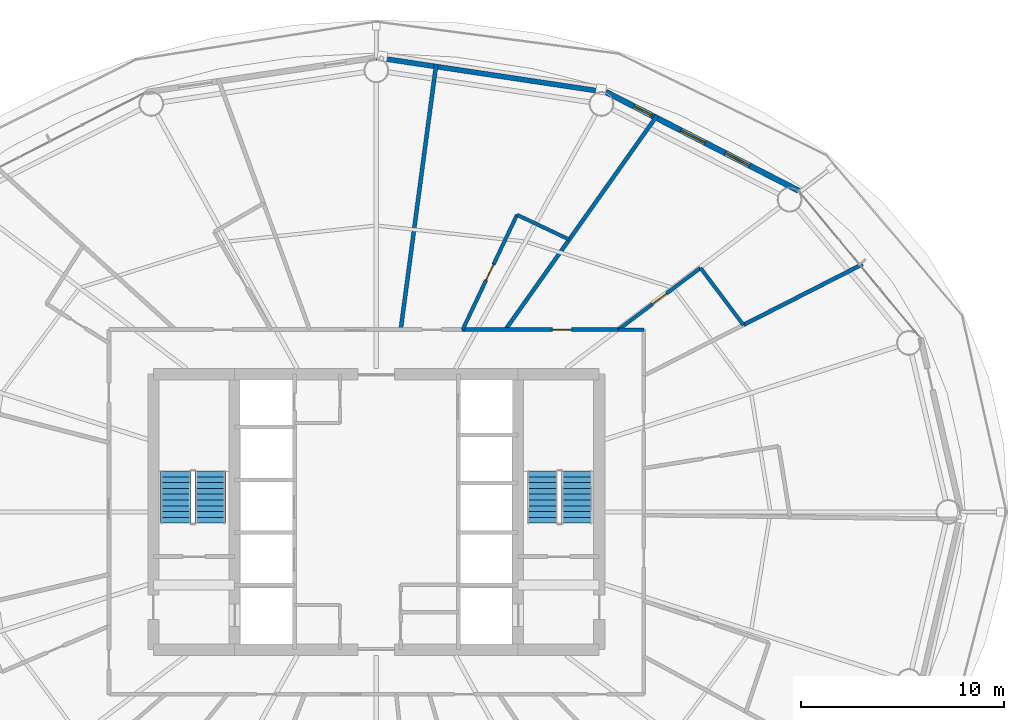
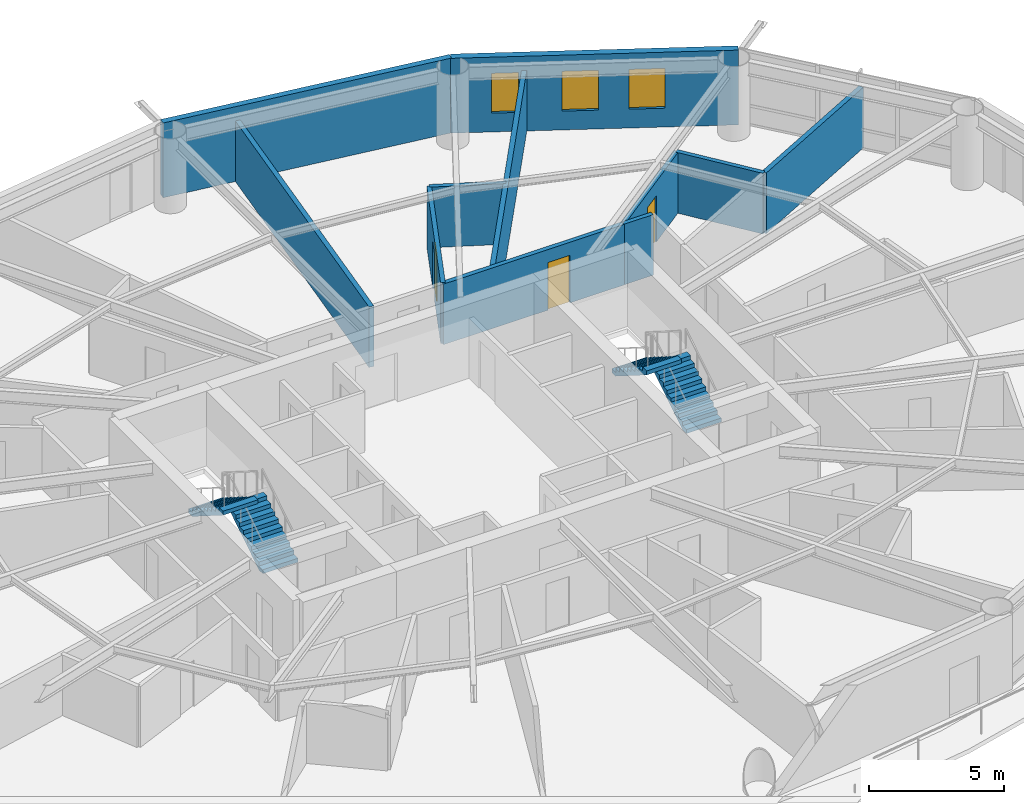
# One storey, part 21 of 24: 11 walls, 4 stair flights, 3 doors, 3 windows, 6 openings, 2 elements without a shape of their own.
"""IFC4 building model written with IfcOpenShell, lengths in metres."""

from ifc_helpers import new_model, si_unit, direction, frame, frame_2d, origin, place, context, subcontext, project, spatial, polyline, rectangle, outline, extrude, material, layer, layer_set, type_object, element, fill, aggregate, save


model = new_model("IFC4")

# Units and contexts
model_context = context("Model", 3, precision=1e-05, world=origin(), true_north=direction((0.0, 1.0)))
body_context = subcontext(model_context, "Body", "Model", "MODEL_VIEW")
ifc_project = project(units=[si_unit("LENGTHUNIT", "METRE"), si_unit("AREAUNIT", "SQUARE_METRE"), si_unit("VOLUMEUNIT", "CUBIC_METRE"), si_unit("PLANEANGLEUNIT", "RADIAN"), si_unit("MASSUNIT", "GRAM", prefix="KILO")], contexts=[model_context])

# Site, building, storey
site_placement = place(None, origin())
site = spatial("IfcSite", under=ifc_project, at=site_placement, CompositionType="ELEMENT")
building_placement = place(site_placement, origin())
building = spatial("IfcBuilding", under=site, at=building_placement, Name="Sarneth Arch Tower", CompositionType="ELEMENT")
storey_placement = place(building_placement, frame((0.0, 0.0, 105.60009765625)))
storey = spatial("IfcBuildingStorey", under=building, at=storey_placement, Name="L26", CompositionType="ELEMENT", Elevation=105.60009765625)

# Wall, opening, door
ifc_material_1 = material(Name="Double steel-stud corridor fire wall", Category="steel")
ifc_layer_1 = layer(ifc_material_1, 0.18994140625)
ifc_layer_set_1 = layer_set([ifc_layer_1], Name="Double steel-stud corridor fire wall")
wall_type_1 = type_object("IfcWallType", Name="WALL-CORR-190", PredefinedType="PARTITIONING", material=ifc_layer_set_1)
wall_1_placement = place(storey_placement, frame((59.956787109375, 51.0, 0.0), z_axis=(0.0, 0.0, 1.0), x_axis=(-1.0, 0.0, 0.0)))
wall_1 = element("IfcWall", 1, at=wall_1_placement, inside=storey, type_object=wall_type_1, Name="L26 Interior partition W-L26-TP-001", PredefinedType="PARTITIONING", context=body_context, shape_type="SweptSolid", body=[
    extrude(rectangle(XDim=7.73046875, YDim=0.18994140625, at=frame_2d((3.865234375, 0.0))), origin(), (0.0, 0.0, 1.0), 2.739990234375),
])
opening_1_placement = place(wall_1_placement, frame((2.31640625, 0.0, 0.0)))
opening_1 = element("IfcOpeningElement", 2, at=opening_1_placement, cuts=wall_1, Name="Opening FD-09", PredefinedType="OPENING", context=body_context, shape_type="SweptSolid", body=[
    extrude(rectangle(XDim=0.949951171875, YDim=2.14990234375, at=frame_2d((0.47509765625, 1.074951171875))), frame((0.0, 0.10498046875, 0.0), z_axis=(0.0, -1.0, 0.0), x_axis=(1.0, 0.0, 0.0)), (0.0, 0.0, 1.0), 0.2099609375),
])
ifc_material_2 = material(Name="Hardwood timber hotel entrance fire door", Category="wood")
door_type_1 = type_object("IfcDoorType", Name="DR-FD60-950", OperationType="SINGLE_SWING_RIGHT", PredefinedType="DOOR", material=ifc_material_2)
door_1_placement = place(opening_1_placement, origin())
door_1 = element("IfcDoor", 3, at=door_1_placement, inside=storey, type_object=door_type_1, Name="L26 Interior door DR-L26-KEY-01", OperationType="SINGLE_SWING_LEFT", OverallHeight=2.14990234375, OverallWidth=0.949951171875, PredefinedType="DOOR", context=body_context, shape_type="SweptSolid", body=[
    extrude(rectangle(XDim=0.949951171875, YDim=2.14990234375, at=frame_2d((0.47509765625, 1.074951171875))), frame((0.0, 0.02490234375, 0.0), z_axis=(0.0, -1.0, 0.0), x_axis=(1.0, 0.0, 0.0)), (0.0, 0.0, 1.0), 0.050048828125),
])
fill(opening_1, door_1)

# Wall
ifc_material_3 = material(Name="Extruded terracotta rainscreen on Concrete C40/50 backing", Category="masonry")
ifc_layer_2 = layer(ifc_material_3, 0.25)
ifc_layer_set_2 = layer_set([ifc_layer_2], Name="Extruded terracotta rainscreen on Concrete C40/50 backing")
wall_type_2 = type_object("IfcWallType", Name="WALL-EXT-SPAND-250", PredefinedType="SOLIDWALL", material=ifc_layer_set_2)
wall_2_placement = place(storey_placement, frame((59.351318359375, 62.72265625, 0.0), z_axis=(0.0, 0.0, 1.0), x_axis=(-0.988877774656, 0.148730450117, 0.0)))
element("IfcWall", 4, at=wall_2_placement, inside=storey, type_object=wall_type_2, Name="L26 Terracotta perimeter wall 04", PredefinedType="SOLIDWALL", context=body_context, shape_type="SweptSolid", body=[
    extrude(rectangle(XDim=11.47900390625, YDim=0.25, at=frame_2d((5.739501953125, 0.0))), origin(), (0.0, 0.0, 1.0), 3.3798828125),
])

# Wall, openings, windows
ifc_material_4 = material(Name="Extruded terracotta rainscreen on Concrete C40/50 backing", Category="masonry")
ifc_layer_3 = layer(ifc_material_4, 0.280029296875)
ifc_layer_set_3 = layer_set([ifc_layer_3], Name="Extruded terracotta rainscreen on Concrete C40/50 backing")
wall_type_3 = type_object("IfcWallType", Name="WALL-EXT-TERRA-280", PredefinedType="SOLIDWALL", material=ifc_layer_set_3)
wall_3_placement = place(storey_placement, frame((68.840087890625, 57.8603515625, 0.0), z_axis=(0.0, 0.0, 1.0), x_axis=(-0.889959505023, 0.45603955905, 0.0)))
wall_3 = element("IfcWall", 5, at=wall_3_placement, inside=storey, type_object=wall_type_3, Name="L26 Terracotta perimeter wall 03", PredefinedType="SOLIDWALL", context=body_context, shape_type="SweptSolid", body=[
    extrude(rectangle(XDim=10.662109375, YDim=0.280029296875, at=frame_2d((5.3310546875, 0.0))), origin(), (0.0, 0.0, 1.0), 3.3798828125),
])
opening_2_placement = place(wall_3_placement, frame((2.71142578125, 0.0, 0.85009765625)))
opening_2 = element("IfcOpeningElement", 6, at=opening_2_placement, cuts=wall_3, Name="Opening W-08", PredefinedType="OPENING", context=body_context, shape_type="SweptSolid", body=[
    extrude(rectangle(XDim=1.35009765625, YDim=1.800048828125, at=frame_2d((0.675048828125, 0.89990234375))), frame((0.0, 0.14990234375, 0.0), z_axis=(0.0, -1.0, 0.0), x_axis=(1.0, 0.0, 0.0)), (0.0, 0.0, 1.0), 0.300048828125),
])
opening_3_placement = place(wall_3_placement, frame((5.182373046875, 0.0, 0.85009765625)))
opening_3 = element("IfcOpeningElement", 7, at=opening_3_placement, cuts=wall_3, Name="Opening W-08", PredefinedType="OPENING", context=body_context, shape_type="SweptSolid", body=[
    extrude(rectangle(XDim=1.35009765625, YDim=1.800048828125, at=frame_2d((0.675048828125, 0.89990234375))), frame((0.0, 0.14990234375, 0.0), z_axis=(0.0, -1.0, 0.0), x_axis=(1.0, 0.0, 0.0)), (0.0, 0.0, 1.0), 0.300048828125),
])
opening_4_placement = place(wall_3_placement, frame((8.141845703125, 0.0, 0.85009765625)))
opening_4 = element("IfcOpeningElement", 8, at=opening_4_placement, cuts=wall_3, Name="Opening W-11", PredefinedType="OPENING", context=body_context, shape_type="SweptSolid", body=[
    extrude(rectangle(XDim=1.0, YDim=1.800048828125, at=frame_2d((0.5, 0.89990234375))), frame((0.0, 0.14990234375, 0.0), z_axis=(0.0, -1.0, 0.0), x_axis=(1.0, 0.0, 0.0)), (0.0, 0.0, 1.0), 0.300048828125),
])
ifc_material_5 = material(Name="Thermally broken Aluminium 6063-T6 and low-e laminated IGU", Category="aluminium")
window_type_1 = type_object("IfcWindowType", Name="WIN-TWR-1000x1800", PartitioningType="SINGLE_PANEL", PredefinedType="WINDOW", material=ifc_material_5)
window_1_placement = place(opening_4_placement, origin())
window_1 = element("IfcWindow", 9, at=window_1_placement, inside=storey, type_object=window_type_1, Name="L26 Dwelling bedroom window 01", OverallHeight=1.800048828125, OverallWidth=1.0, PartitioningType="SINGLE_PANEL", PredefinedType="WINDOW", context=body_context, shape_type="SweptSolid", body=[
    extrude(rectangle(XDim=1.0, YDim=1.800048828125, at=frame_2d((0.5, 0.89990234375))), frame((0.0, 0.030029296875, 0.0), z_axis=(0.0, -1.0, 0.0), x_axis=(1.0, 0.0, 0.0)), (0.0, 0.0, 1.0), 0.06005859375),
])
fill(opening_4, window_1)
ifc_material_6 = material(Name="Thermally broken Aluminium 6063-T6 and low-e laminated IGU", Category="aluminium")
window_type_2 = type_object("IfcWindowType", Name="WIN-TWR-1350x1800", PartitioningType="SINGLE_PANEL", PredefinedType="WINDOW", material=ifc_material_6)
window_2_placement = place(opening_2_placement, origin())
window_2 = element("IfcWindow", 10, at=window_2_placement, inside=storey, type_object=window_type_2, Name="L26 Exterior window 03A", OverallHeight=1.800048828125, OverallWidth=1.35009765625, PartitioningType="SINGLE_PANEL", PredefinedType="WINDOW", context=body_context, shape_type="SweptSolid", body=[
    extrude(rectangle(XDim=1.35009765625, YDim=1.800048828125, at=frame_2d((0.675048828125, 0.89990234375))), frame((0.0, 0.030029296875, 0.0), z_axis=(0.0, -1.0, 0.0), x_axis=(1.0, 0.0, 0.0)), (0.0, 0.0, 1.0), 0.06005859375),
])
fill(opening_2, window_2)
window_3_placement = place(opening_3_placement, origin())
window_3 = element("IfcWindow", 11, at=window_3_placement, inside=storey, type_object=window_type_2, Name="L26 Exterior window 03B", OverallHeight=1.800048828125, OverallWidth=1.35009765625, PartitioningType="SINGLE_PANEL", PredefinedType="WINDOW", context=body_context, shape_type="SweptSolid", body=[
    extrude(rectangle(XDim=1.35009765625, YDim=1.800048828125, at=frame_2d((0.675048828125, 0.89990234375))), frame((0.0, 0.030029296875, 0.0), z_axis=(0.0, -1.0, 0.0), x_axis=(1.0, 0.0, 0.0)), (0.0, 0.0, 1.0), 0.06005859375),
])
fill(opening_3, window_3)

# Wall, opening, door
ifc_material_7 = material(Name="Moisture-resistant plumbing chase wall", Category="gypsum")
ifc_layer_4 = layer(ifc_material_7, 0.179931640625)
ifc_layer_set_4 = layer_set([ifc_layer_4], Name="Moisture-resistant plumbing chase wall")
wall_type_4 = type_object("IfcWallType", Name="WALL-PLUMB-180", PredefinedType="PLUMBINGWALL", material=ifc_layer_set_4)
wall_4_placement = place(storey_placement, frame((54.944580078125, 56.666259765625, 0.0), z_axis=(0.0, 0.0, 1.0), x_axis=(-0.427935680108, -0.903809190975, 0.0)))
wall_4 = element("IfcWall", 12, at=wall_4_placement, inside=storey, type_object=wall_type_4, Name="L26 Interior partition W-L26-TP-035", PredefinedType="PLUMBINGWALL", context=body_context, shape_type="SweptSolid", body=[
    extrude(rectangle(XDim=6.269287109375, YDim=0.179931640625, at=frame_2d((3.134765625, 0.0))), origin(), (0.0, 0.0, 1.0), 2.739990234375),
])
opening_5_placement = place(wall_4_placement, frame((2.709716796875, 0.0, 0.0)))
opening_5 = element("IfcOpeningElement", 13, at=opening_5_placement, cuts=wall_4, Name="Opening ID-02", PredefinedType="OPENING", context=body_context, shape_type="SweptSolid", body=[
    extrude(rectangle(XDim=0.85009765625, YDim=2.10009765625, at=frame_2d((0.425048828125, 1.050048828125))), frame((0.0, 0.099853515625, 0.0), z_axis=(0.0, -1.0, 0.0), x_axis=(1.0, 0.0, 0.0)), (0.0, 0.0, 1.0), 0.199951171875),
])
ifc_material_8 = material(Name="Moisture-resistant bathroom timber door", Category="wood")
door_type_2 = type_object("IfcDoorType", Name="DR-INT-850", OperationType="SINGLE_SWING_RIGHT", PredefinedType="DOOR", material=ifc_material_8)
door_2_placement = place(opening_5_placement, origin())
door_2 = element("IfcDoor", 14, at=door_2_placement, inside=storey, type_object=door_type_2, Name="L26 Interior door DR-L26-ENS-02", OperationType="SINGLE_SWING_RIGHT", OverallHeight=2.10009765625, OverallWidth=0.85009765625, PredefinedType="DOOR", context=body_context, shape_type="SweptSolid", body=[
    extrude(rectangle(XDim=0.85009765625, YDim=2.10009765625, at=frame_2d((0.425048828125, 1.050048828125))), frame((0.0, 0.02490234375, 0.0), z_axis=(0.0, -1.0, 0.0), x_axis=(1.0, 0.0, 0.0)), (0.0, 0.0, 1.0), 0.050048828125),
])
fill(opening_5, door_2)

wall_5_placement = place(storey_placement, frame((59.956787109375, 51.0, 0.0), z_axis=(0.0, 0.0, 1.0), x_axis=(0.798951197172, 0.601395863419, 0.0)))
wall_5 = element("IfcWall", 15, at=wall_5_placement, inside=storey, type_object=wall_type_4, Name="L26 Interior partition W-L26-TP-028", PredefinedType="PLUMBINGWALL", context=body_context, shape_type="SweptSolid", body=[
    extrude(rectangle(XDim=5.061767578125, YDim=0.179931640625, at=frame_2d((2.53076171875, 0.0))), origin(), (0.0, 0.0, 1.0), 2.739990234375),
])
opening_6_placement = place(wall_5_placement, frame((2.10595703125, 0.0, 0.0)))
opening_6 = element("IfcOpeningElement", 16, at=opening_6_placement, cuts=wall_5, Name="Opening ID-02", PredefinedType="OPENING", context=body_context, shape_type="SweptSolid", body=[
    extrude(rectangle(XDim=0.85009765625, YDim=2.10009765625, at=frame_2d((0.425048828125, 1.050048828125))), frame((0.0, 0.099853515625, 0.0), z_axis=(0.0, -1.0, 0.0), x_axis=(1.0, 0.0, 0.0)), (0.0, 0.0, 1.0), 0.199951171875),
])
door_3_placement = place(opening_6_placement, origin())
door_3 = element("IfcDoor", 17, at=door_3_placement, inside=storey, type_object=door_type_2, Name="L26 Interior door DR-L26-ENS-01", OperationType="SINGLE_SWING_RIGHT", OverallHeight=2.10009765625, OverallWidth=0.85009765625, PredefinedType="DOOR", context=body_context, shape_type="SweptSolid", body=[
    extrude(rectangle(XDim=0.85009765625, YDim=2.10009765625, at=frame_2d((0.425048828125, 1.050048828125))), frame((0.0, 0.02490234375, 0.0), z_axis=(0.0, -1.0, 0.0), x_axis=(1.0, 0.0, 0.0)), (0.0, 0.0, 1.0), 0.050048828125),
])
fill(opening_6, door_3)

# Walls
wall_6_placement = place(storey_placement, frame((64.0009765625, 54.044189453125, 0.0), z_axis=(0.0, 0.0, 1.0), x_axis=(0.601341788725, -0.79899189804, 0.0)))
element("IfcWall", 18, at=wall_6_placement, inside=storey, type_object=wall_type_4, Name="L26 Interior partition W-L26-TP-029", PredefinedType="PLUMBINGWALL", context=body_context, shape_type="SweptSolid", body=[
    extrude(rectangle(XDim=3.520263671875, YDim=0.179931640625, at=frame_2d((1.76025390625, 0.0))), origin(), (0.0, 0.0, 1.0), 2.739990234375),
])
wall_7_placement = place(storey_placement, frame((57.522705078125, 55.445556640625, 0.0), z_axis=(0.0, 0.0, 1.0), x_axis=(-0.90380753646, 0.42793917446, 0.0)))
element("IfcWall", 19, at=wall_7_placement, inside=storey, type_object=wall_type_4, Name="L26 Interior partition W-L26-TP-034", PredefinedType="PLUMBINGWALL", context=body_context, shape_type="SweptSolid", body=[
    extrude(rectangle(XDim=2.8525390625, YDim=0.179931640625, at=frame_2d((1.42626953125, 0.0))), origin(), (0.0, 0.0, 1.0), 2.739990234375),
])
wall_8_placement = place(storey_placement, frame((61.199951171875, 51.0, 0.0), z_axis=(0.0, 0.0, 1.0), x_axis=(-1.0, 0.0, 0.0)))
element("IfcWall", 20, at=wall_8_placement, inside=storey, type_object=wall_type_4, Name="L26 Interior partition W-L26-TP-003", PredefinedType="PLUMBINGWALL", context=body_context, shape_type="SweptSolid", body=[
    extrude(rectangle(XDim=1.2431640625, YDim=0.179931640625, at=frame_2d((0.62158203125, 0.0))), origin(), (0.0, 0.0, 1.0), 2.739990234375),
])
ifc_material_9 = material(Name="Double steel-stud acoustic drywall", Category="steel")
ifc_layer_5 = layer(ifc_material_9, 0.199951171875)
ifc_layer_set_5 = layer_set([ifc_layer_5], Name="Double steel-stud acoustic drywall")
wall_type_5 = type_object("IfcWallType", Name="WALL-UNIT-200", PredefinedType="PARTITIONING", material=ifc_layer_set_5)
wall_9_placement = place(storey_placement, frame((50.955810546875, 64.106689453125, 0.0), z_axis=(0.0, 0.0, 1.0), x_axis=(-0.132526518831, -0.99117945994, 0.0)))
element("IfcWall", 21, at=wall_9_placement, inside=storey, type_object=wall_type_5, Name="L26 Interior partition W-L26-TP-036", PredefinedType="PARTITIONING", context=body_context, shape_type="SweptSolid", body=[
    extrude(rectangle(XDim=13.223388671875, YDim=0.199951171875, at=frame_2d((6.61181640625, 0.0))), origin(), (0.0, 0.0, 1.0), 2.739990234375),
])
wall_10_placement = place(storey_placement, frame((54.374267578125, 51.0, 0.0), z_axis=(0.0, 0.0, 1.0), x_axis=(0.577967135411, 0.816060040919, 0.0)))
element("IfcWall", 22, at=wall_10_placement, inside=storey, type_object=wall_type_5, Name="L26 Interior partition W-L26-TP-030", PredefinedType="PARTITIONING", context=body_context, shape_type="SweptSolid", body=[
    extrude(rectangle(XDim=12.952880859375, YDim=0.199951171875, at=frame_2d((6.4765625, 0.0))), origin(), (0.0, 0.0, 1.0), 2.739990234375),
])
wall_11_placement = place(storey_placement, frame((71.998046875, 54.2275390625, 0.0), z_axis=(0.0, 0.0, 1.0), x_axis=(-0.891005333778, -0.453992836044, 0.0)))
element("IfcWall", 23, at=wall_11_placement, inside=storey, type_object=wall_type_5, Name="L26 Interior partition W-L26-TP-032", PredefinedType="PARTITIONING", context=body_context, shape_type="SweptSolid", body=[
    extrude(rectangle(XDim=6.599365234375, YDim=0.199951171875, at=frame_2d((3.2998046875, 0.0))), origin(), (0.0, 0.0, 1.0), 2.739990234375),
])

# Stair, stair flights
ifc_material_10 = material(Name="Concrete C50/60", Category="concrete")
stair_type = type_object("IfcStairType", Name="STAIR-CORE-RC", PredefinedType="HALF_TURN_STAIR", material=ifc_material_10)
stair_1_placement = place(storey_placement, origin())
stair_1 = element("IfcStair", 24, at=stair_1_placement, inside=storey, type_object=stair_type, Name="L26 Core Exit Stair 1", PredefinedType="HALF_TURN_STAIR")
ifc_material_11 = material(Name="Concrete C50/60", Category="concrete")
stair_flight_type = type_object("IfcStairFlightType", Name="FLIGHT-RC-1500", PredefinedType="STRAIGHT", material=ifc_material_11)
stair_flight_1_placement = place(storey_placement, frame((39.800048828125, 41.449951171875, 0.0), z_axis=(0.0, 0.0, 1.0), x_axis=(0.0, 1.0, 0.0)))
stair_flight_1 = element("IfcStairFlight", 25, at=stair_flight_1_placement, type_object=stair_flight_type, Name="ST-1 flight 1", NumberOfRisers=10, NumberOfTreads=9, PredefinedType="STRAIGHT", RiserHeight=0.18, TreadLength=0.285, context=body_context, shape_type="SweptSolid", body=[
    extrude(outline(polyline([(0.0, 0.0), (0.0, 0.179931640625), (0.284912109375, 0.179931640625), (0.284912109375, 0.360107421875), (0.570068359375, 0.360107421875), (0.570068359375, 0.5400390625), (0.85498046875, 0.5400390625), (0.85498046875, 0.719970703125), (1.139892578125, 0.719970703125), (1.139892578125, 0.89990234375), (1.425048828125, 0.89990234375), (1.425048828125, 1.080078125), (1.7099609375, 1.080078125), (1.7099609375, 1.260009765625), (1.9951171875, 1.260009765625), (1.9951171875, 1.43994140625), (2.280029296875, 1.43994140625), (2.280029296875, 1.6201171875), (2.56494140625, 1.6201171875), (2.56494140625, 1.800048828125), (2.56494140625, 1.442626953125), (0.28076171875, 0.0), (0.0, 0.0)])), frame((0.0, 0.75, 0.0), z_axis=(0.0, -1.0, 0.0), x_axis=(1.0, 0.0, 0.0)), (0.0, 0.0, 1.0), 1.5),
])
stair_flight_2_placement = place(storey_placement, frame((38.10009765625, 44.014892578125, 1.7998046875), z_axis=(0.0, 0.0, 1.0), x_axis=(0.0, -1.0, 0.0)))
stair_flight_2 = element("IfcStairFlight", 26, at=stair_flight_2_placement, type_object=stair_flight_type, Name="ST-1 flight 2", NumberOfRisers=10, NumberOfTreads=9, PredefinedType="STRAIGHT", RiserHeight=0.18, TreadLength=0.285, context=body_context, shape_type="SweptSolid", body=[
    extrude(outline(polyline([(0.0, 0.0), (0.0, 0.179931640625), (0.284912109375, 0.179931640625), (0.284912109375, 0.360107421875), (0.570068359375, 0.360107421875), (0.570068359375, 0.5400390625), (0.85498046875, 0.5400390625), (0.85498046875, 0.719970703125), (1.139892578125, 0.719970703125), (1.139892578125, 0.89990234375), (1.425048828125, 0.89990234375), (1.425048828125, 1.080078125), (1.7099609375, 1.080078125), (1.7099609375, 1.260009765625), (1.9951171875, 1.260009765625), (1.9951171875, 1.43994140625), (2.280029296875, 1.43994140625), (2.280029296875, 1.6201171875), (2.56494140625, 1.6201171875), (2.56494140625, 1.800048828125), (2.56494140625, 1.442626953125), (0.28076171875, 0.0), (0.0, 0.0)])), frame((0.0, 0.75, 0.0), z_axis=(0.0, -1.0, 0.0), x_axis=(1.0, 0.0, 0.0)), (0.0, 0.0, 1.0), 1.5),
])
aggregate(stair_1, [stair_flight_1, stair_flight_2])

stair_2_placement = place(storey_placement, origin())
stair_2 = element("IfcStair", 27, at=stair_2_placement, inside=storey, type_object=stair_type, Name="L26 Core Exit Stair 2", PredefinedType="HALF_TURN_STAIR")
stair_flight_3_placement = place(storey_placement, frame((57.89990234375, 41.449951171875, 0.0), z_axis=(0.0, 0.0, 1.0), x_axis=(0.0, 1.0, 0.0)))
stair_flight_3 = element("IfcStairFlight", 28, at=stair_flight_3_placement, type_object=stair_flight_type, Name="ST-2 flight 1", NumberOfRisers=10, NumberOfTreads=9, PredefinedType="STRAIGHT", RiserHeight=0.18, TreadLength=0.285, context=body_context, shape_type="SweptSolid", body=[
    extrude(outline(polyline([(0.0, 0.0), (0.0, 0.179931640625), (0.284912109375, 0.179931640625), (0.284912109375, 0.360107421875), (0.570068359375, 0.360107421875), (0.570068359375, 0.5400390625), (0.85498046875, 0.5400390625), (0.85498046875, 0.719970703125), (1.139892578125, 0.719970703125), (1.139892578125, 0.89990234375), (1.425048828125, 0.89990234375), (1.425048828125, 1.080078125), (1.7099609375, 1.080078125), (1.7099609375, 1.260009765625), (1.9951171875, 1.260009765625), (1.9951171875, 1.43994140625), (2.280029296875, 1.43994140625), (2.280029296875, 1.6201171875), (2.56494140625, 1.6201171875), (2.56494140625, 1.800048828125), (2.56494140625, 1.442626953125), (0.28076171875, 0.0), (0.0, 0.0)])), frame((0.0, 0.75, 0.0), z_axis=(0.0, -1.0, 0.0), x_axis=(1.0, 0.0, 0.0)), (0.0, 0.0, 1.0), 1.5),
])
stair_flight_4_placement = place(storey_placement, frame((56.199951171875, 44.014892578125, 1.7998046875), z_axis=(0.0, 0.0, 1.0), x_axis=(0.0, -1.0, 0.0)))
stair_flight_4 = element("IfcStairFlight", 29, at=stair_flight_4_placement, type_object=stair_flight_type, Name="ST-2 flight 2", NumberOfRisers=10, NumberOfTreads=9, PredefinedType="STRAIGHT", RiserHeight=0.18, TreadLength=0.285, context=body_context, shape_type="SweptSolid", body=[
    extrude(outline(polyline([(0.0, 0.0), (0.0, 0.179931640625), (0.284912109375, 0.179931640625), (0.284912109375, 0.360107421875), (0.570068359375, 0.360107421875), (0.570068359375, 0.5400390625), (0.85498046875, 0.5400390625), (0.85498046875, 0.719970703125), (1.139892578125, 0.719970703125), (1.139892578125, 0.89990234375), (1.425048828125, 0.89990234375), (1.425048828125, 1.080078125), (1.7099609375, 1.080078125), (1.7099609375, 1.260009765625), (1.9951171875, 1.260009765625), (1.9951171875, 1.43994140625), (2.280029296875, 1.43994140625), (2.280029296875, 1.6201171875), (2.56494140625, 1.6201171875), (2.56494140625, 1.800048828125), (2.56494140625, 1.442626953125), (0.28076171875, 0.0), (0.0, 0.0)])), frame((0.0, 0.75, 0.0), z_axis=(0.0, -1.0, 0.0), x_axis=(1.0, 0.0, 0.0)), (0.0, 0.0, 1.0), 1.5),
])
aggregate(stair_2, [stair_flight_3, stair_flight_4])

save(model, "model.ifc")
